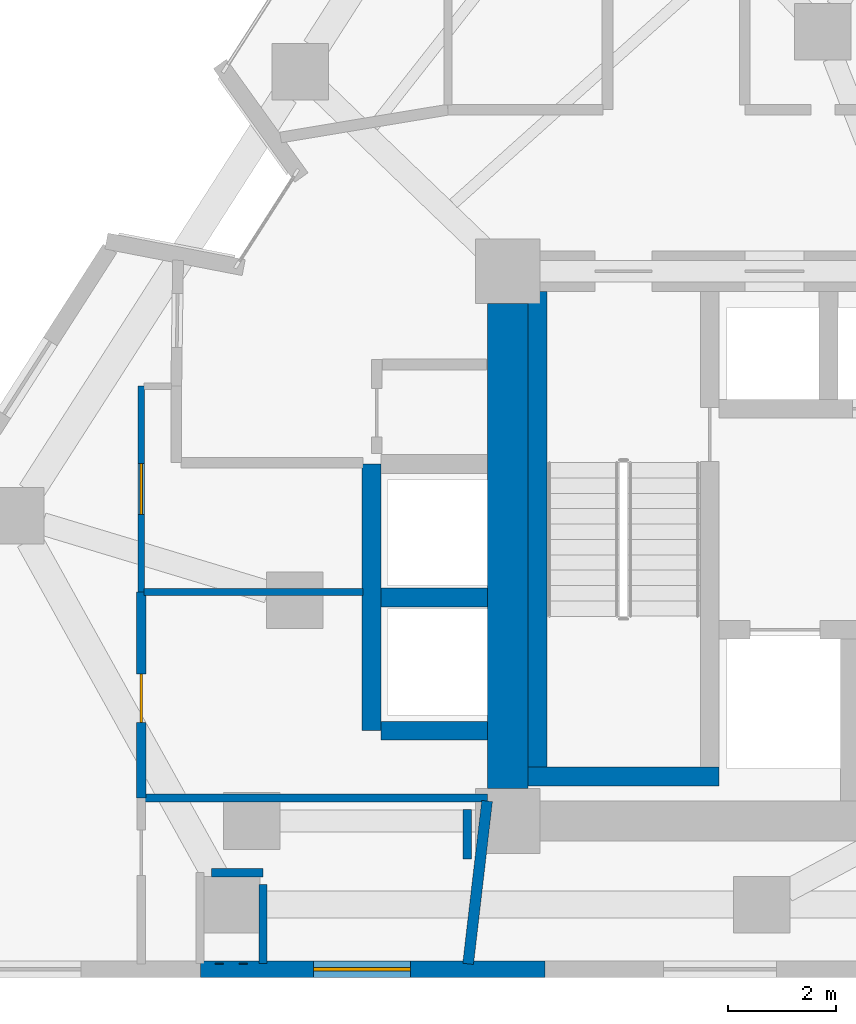
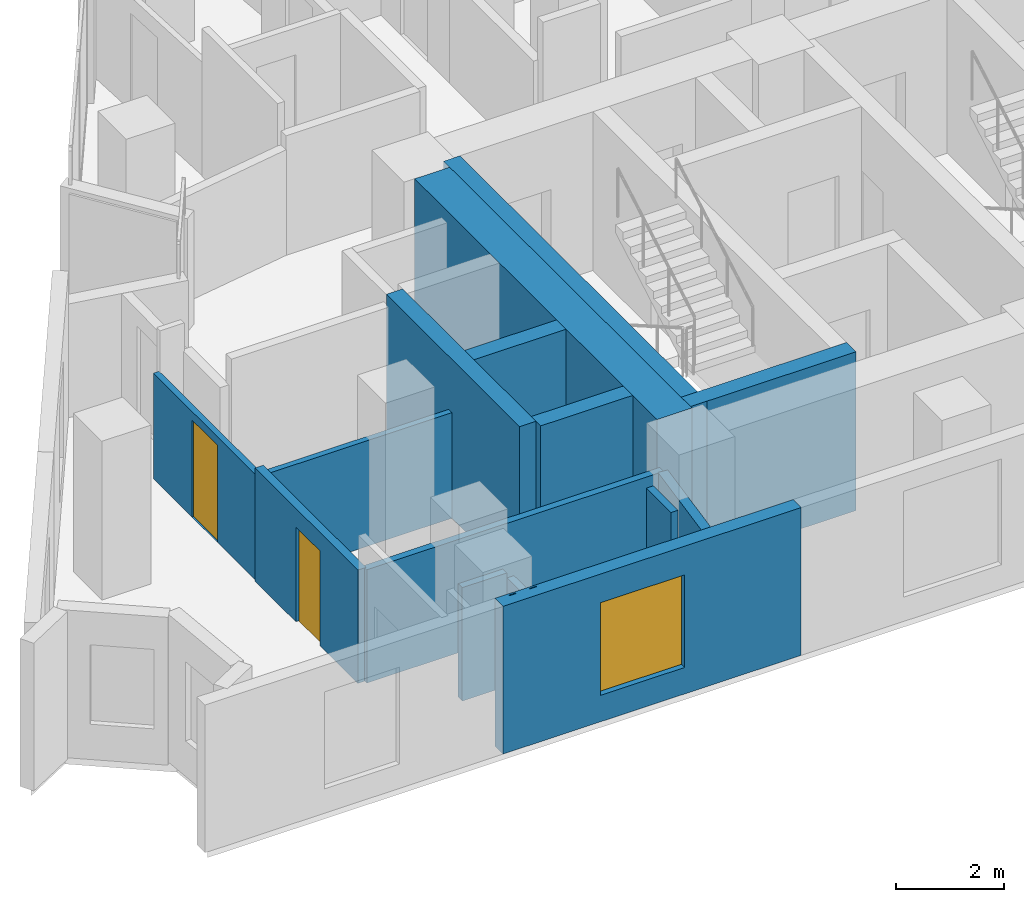
# One storey, part 5 of 11: 17 walls, 2 doors, 1 window, 3 openings.
"""IFC4 building model written with IfcOpenShell, lengths in metres."""

from ifc_helpers import new_model, si_unit, direction, frame, frame_2d, origin, place, context, subcontext, project, spatial, rectangle, extrude, material, layer, layer_set, type_object, element, fill, save


model = new_model("IFC4")

# Units and contexts
model_context = context("Model", 3, precision=1e-05, world=origin(), true_north=direction((0.0, 1.0)))
body_context = subcontext(model_context, "Body", "Model", "MODEL_VIEW")
ifc_project = project(units=[si_unit("LENGTHUNIT", "METRE"), si_unit("AREAUNIT", "SQUARE_METRE"), si_unit("VOLUMEUNIT", "CUBIC_METRE"), si_unit("PLANEANGLEUNIT", "RADIAN"), si_unit("MASSUNIT", "GRAM", prefix="KILO")], contexts=[model_context])

# Site, building, storey
site_placement = place(None, origin())
site = spatial("IfcSite", under=ifc_project, at=site_placement, CompositionType="ELEMENT")
building_placement = place(site_placement, origin())
building = spatial("IfcBuilding", under=site, at=building_placement, Name="Almagre Mirador Tower", CompositionType="ELEMENT")
storey_placement = place(building_placement, frame((0.0, 0.0, 160.800048828125)))
storey = spatial("IfcBuildingStorey", under=building, at=storey_placement, Name="L41", CompositionType="ELEMENT", Elevation=160.800048828125)

# Wall, opening, window
ifc_material_1 = material(Name="Precast concrete C50/60", Category="concrete")
ifc_layer_1 = layer(ifc_material_1, 0.300048828125)
ifc_layer_set_1 = layer_set([ifc_layer_1], Name="Precast concrete C50/60")
wall_type_1 = type_object("IfcWallType", Name="WAL-EXT-300", PredefinedType="SOLIDWALL", material=ifc_layer_set_1)
wall_1_placement = place(storey_placement, frame((28.24609375, 1.800048828125, 0.0), z_axis=(0.0, 0.0, 1.0), x_axis=(-1.0, 0.0, 0.0)))
wall_1 = element("IfcWall", 1, at=wall_1_placement, inside=storey, type_object=wall_type_1, Name="L41 expressed almagre precast frame wall 27", PredefinedType="SOLIDWALL", context=body_context, shape_type="SweptSolid", body=[
    extrude(rectangle(XDim=6.39306640625, YDim=0.300048828125, at=frame_2d((3.196533203125, 0.0))), origin(), (0.0, 0.0, 1.0), 3.349853515625),
])
opening_1_placement = place(wall_1_placement, frame((2.5, 0.0, 0.60009765625)))
opening_1 = element("IfcOpeningElement", 2, at=opening_1_placement, cuts=wall_1, Name="Opening WN-01", PredefinedType="OPENING", context=body_context, shape_type="SweptSolid", body=[
    extrude(rectangle(XDim=1.800048828125, YDim=2.10009765625, at=frame_2d((0.89990234375, 1.050048828125))), frame((0.0, 0.159902, 0.0), z_axis=(0.0, -1.0, 0.0), x_axis=(1.0, 0.0, 0.0)), (0.0, 0.0, 1.0), 0.320049),
])
ifc_material_2 = material(Name="Dark solar-control laminated hurricane glass", Category="glass")
window_type = type_object("IfcWindowType", Name="WIN-1800X2100", PartitioningType="DOUBLE_PANEL_VERTICAL", PredefinedType="WINDOW", material=ifc_material_2)
window_placement = place(opening_1_placement, origin())
window = element("IfcWindow", 3, at=window_placement, inside=storey, type_object=window_type, Name="L41 recessed hurricane window L41-UA-HB", OverallHeight=2.10009765625, OverallWidth=1.800048828125, PartitioningType="SINGLE_PANEL", PredefinedType="WINDOW", context=body_context, shape_type="SweptSolid", body=[
    extrude(rectangle(XDim=1.800048828125, YDim=2.10009765625, at=frame_2d((0.89990234375, 1.050048828125))), frame((0.0, 0.030029296875, 0.0), z_axis=(0.0, -1.0, 0.0), x_axis=(1.0, 0.0, 0.0)), (0.0, 0.0, 1.0), 0.06005859375),
])
fill(opening_1, window)

# Wall, opening, door
ifc_material_3 = material(Name="Gypsum acoustic stud partition", Category="other")
ifc_layer_2 = layer(ifc_material_3, 0.125)
ifc_layer_set_2 = layer_set([ifc_layer_2], Name="Gypsum acoustic stud partition")
wall_type_2 = type_object("IfcWallType", Name="WAL-PRT-125-UTL", PredefinedType="PARTITIONING", material=ifc_layer_set_2)
wall_2_placement = place(storey_placement, frame((20.75, 8.800048828125, 0.0), z_axis=(0.0, 0.0, 1.0), x_axis=(0.0, 1.0, 0.0)))
wall_2 = element("IfcWall", 4, at=wall_2_placement, inside=storey, type_object=wall_type_2, Name="L41 interior partition 028", PredefinedType="PARTITIONING", context=body_context, shape_type="SweptSolid", body=[
    extrude(rectangle(XDim=3.820068359375, YDim=0.125, at=frame_2d((1.91015625, 0.0))), origin(), (0.0, 0.0, 1.0), 2.39306640625),
])
opening_2_placement = place(wall_2_placement, frame((1.43505859375, 0.0, 0.0)))
opening_2 = element("IfcOpeningElement", 5, at=opening_2_placement, cuts=wall_2, Name="Opening UD-01", PredefinedType="OPENING", context=body_context, shape_type="SweptSolid", body=[
    extrude(rectangle(XDim=0.949951171875, YDim=2.199951171875, at=frame_2d((0.47509765625, 1.10009765625))), frame((0.0, 0.0725, 0.0), z_axis=(0.0, -1.0, 0.0), x_axis=(1.0, 0.0, 0.0)), (0.0, 0.0, 1.0), 0.145),
])
ifc_material_4 = material(Name="Solid American walnut timber", Category="wood")
door_type_1 = type_object("IfcDoorType", Name="DOR-UNR-950X2200", OperationType="NOTDEFINED", PredefinedType="DOOR", material=ifc_material_4)
door_1_placement = place(opening_2_placement, origin())
door_1 = element("IfcDoor", 6, at=door_1_placement, inside=storey, type_object=door_type_1, Name="DR-1324 L41 interior door L41-UA-LV to L41-UA-KT", OperationType="SINGLE_SWING_LEFT", OverallHeight=2.199951171875, OverallWidth=0.949951171875, PredefinedType="DOOR", context=body_context, shape_type="SweptSolid", body=[
    extrude(rectangle(XDim=0.949951171875, YDim=2.199951171875, at=frame_2d((0.47509765625, 1.10009765625))), frame((0.0, 0.02490234375, 0.0), z_axis=(0.0, -1.0, 0.0), x_axis=(1.0, 0.0, 0.0)), (0.0, 0.0, 1.0), 0.050048828125),
])
fill(opening_2, door_1)

# Walls
wall_3_placement = place(storey_placement, frame((20.797607421875, 8.800048828125, 0.0), z_axis=(0.0, 0.0, 1.0), x_axis=(1.0, 0.0, 0.0)))
element("IfcWall", 7, at=wall_3_placement, inside=storey, type_object=wall_type_2, Name="L41 interior partition 033", PredefinedType="PARTITIONING", context=body_context, shape_type="SweptSolid", body=[
    extrude(rectangle(XDim=4.0673828125, YDim=0.125, at=frame_2d((2.03369140625, 0.0))), origin(), (0.0, 0.0, 1.0), 2.39306640625),
])
ifc_material_5 = material(Name="Gypsum acoustic stud partition", Category="other")
ifc_layer_3 = layer(ifc_material_5, 0.14990234375)
ifc_layer_set_3 = layer_set([ifc_layer_3], Name="Gypsum acoustic stud partition")
wall_type_3 = type_object("IfcWallType", Name="WAL-PRT-150-STD", PredefinedType="PARTITIONING", material=ifc_layer_set_3)
wall_4_placement = place(storey_placement, frame((27.175048828125, 4.97998046875, 0.0), z_axis=(0.0, 0.0, 1.0), x_axis=(-1.0, 0.0, 0.0)))
element("IfcWall", 8, at=wall_4_placement, inside=storey, type_object=wall_type_3, Name="L41 interior partition 031", PredefinedType="PARTITIONING", context=body_context, shape_type="SweptSolid", body=[
    extrude(rectangle(XDim=6.364990234375, YDim=0.14990234375, at=frame_2d((3.1826171875, 0.0))), origin(), (0.0, 0.0, 1.0), 2.570068359375),
])
wall_5_placement = place(storey_placement, frame((22.199951171875, 1.888916015625, 0.0), z_axis=(0.0, 0.0, 1.0), x_axis=(0.0, 1.0, 0.0)))
element("IfcWall", 9, at=wall_5_placement, inside=storey, type_object=wall_type_3, Name="L41 interior partition 068", PredefinedType="PARTITIONING", context=body_context, shape_type="SweptSolid", body=[
    extrude(rectangle(XDim=0.02001953125, YDim=0.14990234375, at=frame_2d((0.010009765625, 0.0))), origin(), (0.0, 0.0, 1.0), 3.349853515625),
])
wall_6_placement = place(storey_placement, frame((22.054931640625, 3.590087890625, 0.0), z_axis=(0.0, 0.0, 1.0), x_axis=(1.0, 0.0, 0.0)))
element("IfcWall", 10, at=wall_6_placement, inside=storey, type_object=wall_type_3, Name="L41 interior partition 070", PredefinedType="PARTITIONING", context=body_context, shape_type="SweptSolid", body=[
    extrude(rectangle(XDim=0.955078125, YDim=0.14990234375, at=frame_2d((0.4775390625, 0.0))), origin(), (0.0, 0.0, 1.0), 2.570068359375),
])
wall_7_placement = place(storey_placement, frame((23.010009765625, 3.375, 0.0), z_axis=(0.0, 0.0, 1.0), x_axis=(0.0, -1.0, 0.0)))
element("IfcWall", 11, at=wall_7_placement, inside=storey, type_object=wall_type_3, Name="L41 interior partition 071", PredefinedType="PARTITIONING", context=body_context, shape_type="SweptSolid", body=[
    extrude(rectangle(XDim=1.466064453125, YDim=0.14990234375, at=frame_2d((0.73291015625, 0.0))), origin(), (0.0, 0.0, 1.0), 2.570068359375),
])
wall_8_placement = place(storey_placement, frame((22.639892578125, 1.908935546875, 0.0), z_axis=(0.0, 0.0, 1.0), x_axis=(0.0, -1.0, 0.0)))
element("IfcWall", 12, at=wall_8_placement, inside=storey, type_object=wall_type_3, Name="L41 interior partition 072", PredefinedType="PARTITIONING", context=body_context, shape_type="SweptSolid", body=[
    extrude(rectangle(XDim=0.02001953125, YDim=0.14990234375, at=frame_2d((0.010009765625, 0.0))), origin(), (0.0, 0.0, 1.0), 3.349853515625),
])
wall_9_placement = place(storey_placement, frame((26.800048828125, 3.84912109375, 0.0), z_axis=(0.0, 0.0, 1.0), x_axis=(0.0, 1.0, 0.0)))
element("IfcWall", 13, at=wall_9_placement, inside=storey, type_object=wall_type_3, Name="L41 interior partition 074", PredefinedType="PARTITIONING", context=body_context, shape_type="SweptSolid", body=[
    extrude(rectangle(XDim=0.915771484375, YDim=0.14990234375, at=frame_2d((0.4580078125, 0.0))), origin(), (0.0, 0.0, 1.0), 2.43603515625),
])

# Wall, opening, door
ifc_material_6 = material(Name="Gypsum acoustic stud partition", Category="other")
ifc_layer_4 = layer(ifc_material_6, 0.175048828125)
ifc_layer_set_4 = layer_set([ifc_layer_4], Name="Gypsum acoustic stud partition")
wall_type_4 = type_object("IfcWallType", Name="WAL-PRT-175-AC", PredefinedType="PARTITIONING", material=ifc_layer_set_4)
wall_10_placement = place(storey_placement, frame((20.75, 4.97998046875, 0.0), z_axis=(0.0, 0.0, 1.0), x_axis=(0.0, 1.0, 0.0)))
wall_10 = element("IfcWall", 14, at=wall_10_placement, inside=storey, type_object=wall_type_4, Name="L41 interior partition 030", PredefinedType="PARTITIONING", context=body_context, shape_type="SweptSolid", body=[
    extrude(rectangle(XDim=3.820068359375, YDim=0.175048828125, at=frame_2d((1.91015625, 0.0))), origin(), (0.0, 0.0, 1.0), 2.570068359375),
])
opening_3_placement = place(wall_10_placement, frame((1.402587890625, 0.0, 0.0)))
opening_3 = element("IfcOpeningElement", 15, at=opening_3_placement, cuts=wall_10, Name="Opening UD-02", PredefinedType="OPENING", context=body_context, shape_type="SweptSolid", body=[
    extrude(rectangle(XDim=0.89990234375, YDim=2.14990234375, at=frame_2d((0.449951171875, 1.074951171875))), frame((0.0, 0.097402, 0.0), z_axis=(0.0, -1.0, 0.0), x_axis=(1.0, 0.0, 0.0)), (0.0, 0.0, 1.0), 0.195049),
])
ifc_material_7 = material(Name="Solid American walnut timber", Category="wood")
door_type_2 = type_object("IfcDoorType", Name="DOR-UNR-900X2150", OperationType="NOTDEFINED", PredefinedType="DOOR", material=ifc_material_7)
door_2_placement = place(opening_3_placement, origin())
door_2 = element("IfcDoor", 16, at=door_2_placement, inside=storey, type_object=door_type_2, Name="DR-1326 L41 interior door L41-UA-LV to L41-UA-MB", OperationType="SINGLE_SWING_LEFT", OverallHeight=2.14990234375, OverallWidth=0.89990234375, PredefinedType="DOOR", context=body_context, shape_type="SweptSolid", body=[
    extrude(rectangle(XDim=0.89990234375, YDim=2.14990234375, at=frame_2d((0.449951171875, 1.074951171875))), frame((0.0, 0.02490234375, 0.0), z_axis=(0.0, -1.0, 0.0), x_axis=(1.0, 0.0, 0.0)), (0.0, 0.0, 1.0), 0.050048828125),
])
fill(opening_3, door_2)

# Walls
ifc_material_8 = material(Name="Gypsum acoustic stud partition", Category="other")
ifc_layer_5 = layer(ifc_material_8, 0.199951171875)
ifc_layer_set_5 = layer_set([ifc_layer_5], Name="Gypsum acoustic stud partition")
wall_type_5 = type_object("IfcWallType", Name="WAL-PRT-200-EI60", PredefinedType="PARTITIONING", material=ifc_layer_set_5)
wall_11_placement = place(storey_placement, frame((26.81591796875, 1.89892578125, 0.0), z_axis=(0.0, 0.0, 1.0), x_axis=(0.115732894013, 0.993280371921, 0.0)))
element("IfcWall", 17, at=wall_11_placement, inside=storey, type_object=wall_type_5, Name="L41 interior partition 032", PredefinedType="PARTITIONING", context=body_context, shape_type="SweptSolid", body=[
    extrude(rectangle(XDim=3.0419921875, YDim=0.199951171875, at=frame_2d((1.52099609375, 0.0))), origin(), (0.0, 0.0, 1.0), 2.570068359375),
])
ifc_material_9 = material(Name="Concrete C60/75", Category="concrete")
ifc_layer_6 = layer(ifc_material_9, 0.35009765625)
ifc_layer_set_6 = layer_set([ifc_layer_6], Name="Concrete C60/75")
wall_type_6 = type_object("IfcWallType", Name="WAL-SHF-350", PredefinedType="SOLIDWALL", material=ifc_layer_set_6)
wall_12_placement = place(storey_placement, frame((28.10009765625, 5.199951171875, 0.0), z_axis=(0.0, 0.0, 1.0), x_axis=(0.0, 1.0, 0.0)))
element("IfcWall", 18, at=wall_12_placement, inside=storey, type_object=wall_type_6, Name="L41 shaft wall ST1-W", PredefinedType="SOLIDWALL", context=body_context, shape_type="SweptSolid", body=[
    extrude(rectangle(XDim=9.175048828125, YDim=0.35009765625, at=frame_2d((4.58740234375, 0.0))), origin(), (0.0, 0.0, 1.0), 3.599853515625),
])
wall_13_placement = place(storey_placement, frame((27.925048828125, 5.375, 0.0), z_axis=(0.0, 0.0, 1.0), x_axis=(1.0, 0.0, 0.0)))
element("IfcWall", 19, at=wall_13_placement, inside=storey, type_object=wall_type_6, Name="L41 shaft wall ST1-S", PredefinedType="SOLIDWALL", context=body_context, shape_type="SweptSolid", body=[
    extrude(rectangle(XDim=3.550048828125, YDim=0.35009765625, at=frame_2d((1.77490234375, 0.0))), origin(), (0.0, 0.0, 1.0), 3.599853515625),
])
wall_14_placement = place(storey_placement, frame((25.02490234375, 6.22509765625, 0.0), z_axis=(0.0, 0.0, 1.0), x_axis=(0.0, 1.0, 0.0)))
element("IfcWall", 20, at=wall_14_placement, inside=storey, type_object=wall_type_6, Name="L41 shaft wall OL-W", PredefinedType="SOLIDWALL", context=body_context, shape_type="SweptSolid", body=[
    extrude(rectangle(XDim=4.949951171875, YDim=0.35009765625, at=frame_2d((2.47509765625, 0.0))), origin(), (0.0, 0.0, 1.0), 3.599853515625),
])
for number, where, z_axis, x_axis, name in (
    (21, (25.199951171875, 6.22509765625, 0.0), (0.0, 0.0, 1.0), (1.0, 0.0, 0.0), "L41 shaft wall OL-S"),
    (22, (25.199951171875, 8.699951171875, 0.0), (0.0, 0.0, 1.0), (1.0, 0.0, 0.0), "L41 shaft wall OL-M"),
):
    element("IfcWall", number, at=place(storey_placement, frame(where, z_axis=z_axis, x_axis=x_axis)), inside=storey, type_object=wall_type_6, Name=name, PredefinedType="SOLIDWALL", context=body_context, shape_type="SweptSolid", body=[
        extrude(rectangle(XDim=1.97509765625, YDim=0.35009765625, at=frame_2d((0.987548828125, 0.0))), origin(), (0.0, 0.0, 1.0), 3.599853515625),
    ])
ifc_material_10 = material(Name="Concrete C60/75", Category="concrete")
ifc_layer_7 = layer(ifc_material_10, 0.75)
ifc_layer_set_7 = layer_set([ifc_layer_7], Name="Concrete C60/75")
wall_type_7 = type_object("IfcWallType", Name="WAL-SHR-750", PredefinedType="SHEAR", material=ifc_layer_set_7)
wall_15_placement = place(storey_placement, frame((27.550048828125, 5.14990234375, 0.0), z_axis=(0.0, 0.0, 1.0), x_axis=(0.0, 1.0, 0.0)))
element("IfcWall", 23, at=wall_15_placement, inside=storey, type_object=wall_type_7, Name="L41 core shear wall W1", PredefinedType="SHEAR", context=body_context, shape_type="SweptSolid", body=[
    extrude(rectangle(XDim=9.0, YDim=0.75, at=frame_2d((4.5, 0.0))), origin(), (0.0, 0.0, 1.0), 3.599853515625),
])

save(model, "model.ifc")
